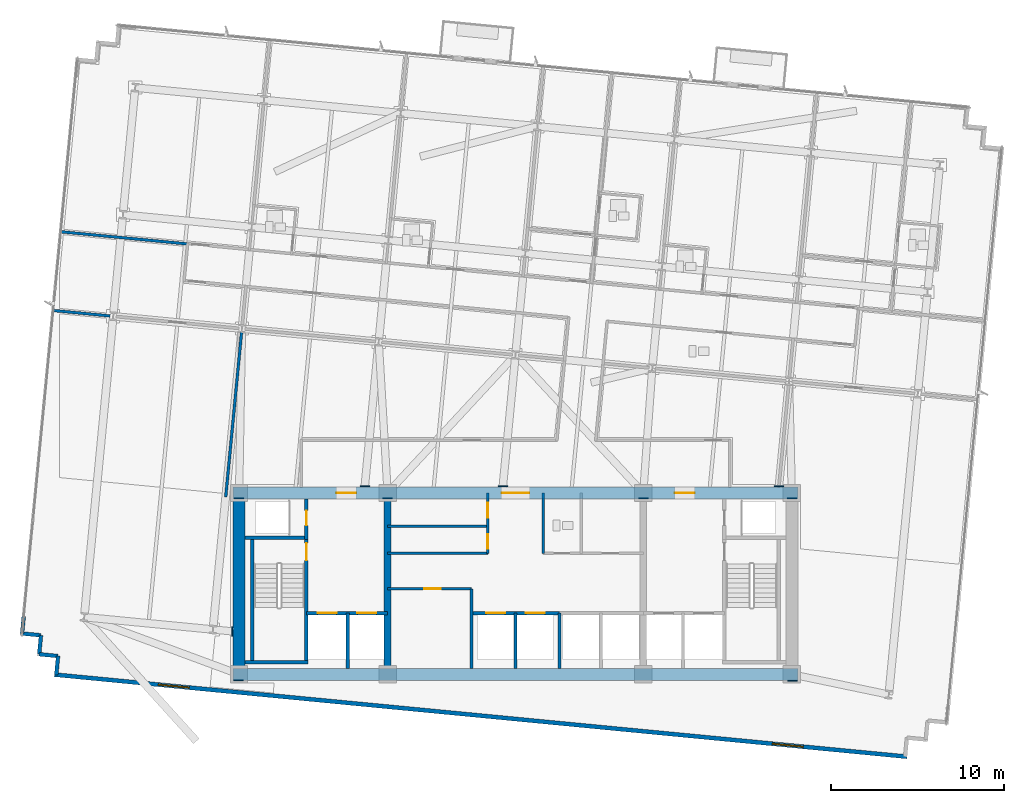
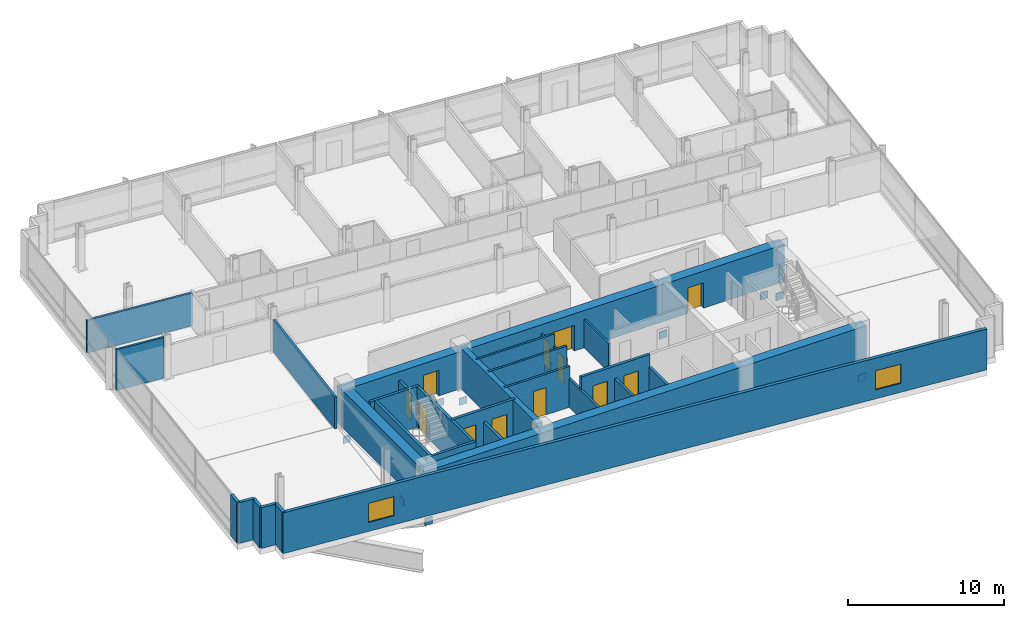
# One storey, part 10 of 18: 29 walls, 12 doors, 10 plates, 2 windows, 14 openings.
"""IFC4 building model written with IfcOpenShell, lengths in metres."""

from ifc_helpers import new_model, si_unit, direction, frame, frame_2d, origin, origin_2d, place, context, subcontext, project, spatial, rectangle, extrude, material, layer, layer_set, type_object, element, fill, save


model = new_model("IFC4")

# Units and contexts
model_context = context("Model", 3, precision=1e-05, world=origin(), true_north=direction((0.0, 1.0)))
body_context = subcontext(model_context, "Body", "Model", "MODEL_VIEW")
ifc_project = project(units=[si_unit("LENGTHUNIT", "METRE"), si_unit("AREAUNIT", "SQUARE_METRE"), si_unit("VOLUMEUNIT", "CUBIC_METRE"), si_unit("PLANEANGLEUNIT", "RADIAN"), si_unit("MASSUNIT", "GRAM", prefix="KILO")], contexts=[model_context])

# Site, building, storey
site_placement = place(None, origin())
site = spatial("IfcSite", under=ifc_project, at=site_placement, CompositionType="ELEMENT")
building_placement = place(site_placement, origin())
building = spatial("IfcBuilding", under=site, at=building_placement, Name="Solmavex Isthmus Hotel", CompositionType="ELEMENT")
storey_placement = place(building_placement, frame((0.0, 0.0, 135.89990234375)))
storey = spatial("IfcBuildingStorey", under=building, at=storey_placement, Name="L36", CompositionType="ELEMENT", Elevation=135.89990234375)

# Plates
ifc_material_1 = material(Name="Steel ASTM A572 Grade 50", Category="steel")
ifc_layer_1 = layer(ifc_material_1, 0.06005859375)
ifc_layer_set_1 = layer_set([ifc_layer_1], Name="Steel ASTM A572 Grade 50")
plate_type = type_object("IfcPlateType", Name="PLT-EMBED-60", PredefinedType="USERDEFINED", material=ifc_layer_set_1)
for number, where, z_axis, x_axis, name in (
    (1, (-7.402099609375, -2.81396484375, -1.3046875), (0.0, 0.0, 1.0), (1.0, 0.0, 0.0), "Outrigger Strut Core Cast-In Embedment Stiffener Plate 061"),
    (2, (7.402587890625, -2.814208984375, -1.3046875), (0.0, 0.0, 1.0), (1.0, 0.0, 0.0), "Outrigger Strut Core Cast-In Embedment Stiffener Plate 062"),
    (3, (-15.99951171875, -2.81396484375, -1.3046875), (0.0, 0.0, 1.0), (1.0, 0.0, 0.0), "Outrigger Strut Core Cast-In Embedment Stiffener Plate 063"),
    (4, (15.9990234375, -2.81396484375, -1.3046875), (0.0, 0.0, 1.0), (1.0, 0.0, 0.0), "Outrigger Strut Core Cast-In Embedment Stiffener Plate 064"),
    (5, (-16.03369140625, -13.33740234375, -1.3046875), (0.0, 0.0, 1.0), (1.0, 0.0, 0.0), "Outrigger Strut Core Cast-In Embedment Stiffener Plate 065"),
    (6, (16.03515625, -13.357421875, -1.3046875), (0.0, 0.0, 1.0), (1.0, 0.0, 0.0), "Outrigger Strut Core Cast-In Embedment Stiffener Plate 066"),
    (7, (-16.3857421875, -10.5126953125, -1.3046875), (0.0, 0.0, 1.0), (0.0, 1.0, 0.0), "Outrigger Strut Core Cast-In Embedment Stiffener Plate 067"),
    (8, (-8.7236328125, -2.1142578125, -1.4150390625), (0.0, 0.0, 1.0), (1.0, 0.0, 0.0), "Outrigger Strut Core Cast-In Embedment Stiffener Plate 068"),
    (9, (-0.73095703125, -2.1142578125, -1.4150390625), (0.0, 0.0, 1.0), (1.0, 0.0, 0.0), "Outrigger Strut Core Cast-In Embedment Stiffener Plate 069"),
    (10, (15.254638671875, -2.1142578125, -1.4150390625), (0.0, 0.0, 1.0), (1.0, 0.0, 0.0), "Outrigger Strut Core Cast-In Embedment Stiffener Plate 070"),
):
    element("IfcPlate", number, at=place(storey_placement, frame(where, z_axis=z_axis, x_axis=x_axis)), inside=storey, type_object=plate_type, Name=name, ObjectType="STIFFENER_PLATE", PredefinedType="USERDEFINED", context=body_context, shape_type="SweptSolid", body=[
        extrude(rectangle(XDim=0.550048828125, YDim=0.06005859375, at=origin_2d()), origin(), (0.0, 0.0, 1.0), 0.550048828125),
    ])

# Wall, openings, windows
ifc_material_2 = material(Name="Precast Concrete C40/50", Category="concrete")
ifc_layer_2 = layer(ifc_material_2, 0.25)
ifc_layer_set_2 = layer_set([ifc_layer_2], Name="Precast Concrete C40/50")
wall_type_1 = type_object("IfcWallType", Name="EW-TWR-250", PredefinedType="STANDARD", material=ifc_layer_set_2)
wall_1_placement = place(storey_placement, frame((-26.6953125, -13.01611328125, 0.0), z_axis=(0.0, 0.0, 1.0), x_axis=(0.995396268366, -0.095845025554, 0.0)))
wall_1 = element("IfcWall", 11, at=wall_1_placement, inside=storey, type_object=wall_type_1, Name="Tower Rear South Facade Wall L36", PredefinedType="STANDARD", context=body_context, shape_type="SweptSolid", body=[
    extrude(rectangle(XDim=49.599853515625, YDim=0.239990234375, at=frame_2d((24.7998046875, 0.0))), origin(), (0.0, 0.0, 1.0), 3.190185546875),
])
opening_1_placement = place(wall_1_placement, frame((6.0439453125, 0.0, 0.699951171875)))
opening_1 = element("IfcOpeningElement", 12, at=opening_1_placement, cuts=wall_1, Name="Opening WN-02", PredefinedType="OPENING", context=body_context, shape_type="SweptSolid", body=[
    extrude(rectangle(XDim=1.800048828125, YDim=1.5, at=frame_2d((0.89990234375, 0.75))), frame((0.0, 0.1298828125, 0.0), z_axis=(0.0, -1.0, 0.0), x_axis=(1.0, 0.0, 0.0)), (0.0, 0.0, 1.0), 0.260009765625),
])
opening_2_placement = place(wall_1_placement, frame((41.756103515625, 0.0, 0.699951171875)))
opening_2 = element("IfcOpeningElement", 13, at=opening_2_placement, cuts=wall_1, Name="Opening WN-02", PredefinedType="OPENING", context=body_context, shape_type="SweptSolid", body=[
    extrude(rectangle(XDim=1.800048828125, YDim=1.5, at=frame_2d((0.89990234375, 0.75))), frame((0.0, 0.1298828125, 0.0), z_axis=(0.0, -1.0, 0.0), x_axis=(1.0, 0.0, 0.0)), (0.0, 0.0, 1.0), 0.260009765625),
])
ifc_material_3 = material(Name="Clear low-E laminated glass", Category="glass")
window_type = type_object("IfcWindowType", Name="WIN-TWR-1800", PartitioningType="SINGLE_PANEL", PredefinedType="WINDOW", material=ifc_material_3)
window_1_placement = place(opening_1_placement, origin())
window_1 = element("IfcWindow", 14, at=window_1_placement, inside=storey, type_object=window_type, Name="South Facade Vision Window L36-S1", OverallHeight=1.5, OverallWidth=1.800048828125, PartitioningType="SINGLE_PANEL", PredefinedType="WINDOW", context=body_context, shape_type="SweptSolid", body=[
    extrude(rectangle(XDim=1.800048828125, YDim=1.5, at=frame_2d((0.89990234375, 0.75))), frame((0.0, 0.030029296875, 0.0), z_axis=(0.0, -1.0, 0.0), x_axis=(1.0, 0.0, 0.0)), (0.0, 0.0, 1.0), 0.06005859375),
])
fill(opening_1, window_1)
window_2_placement = place(opening_2_placement, origin())
window_2 = element("IfcWindow", 15, at=window_2_placement, inside=storey, type_object=window_type, Name="South Facade Vision Window L36-S2", OverallHeight=1.5, OverallWidth=1.800048828125, PartitioningType="SINGLE_PANEL", PredefinedType="WINDOW", context=body_context, shape_type="SweptSolid", body=[
    extrude(rectangle(XDim=1.800048828125, YDim=1.5, at=frame_2d((0.89990234375, 0.75))), frame((0.0, 0.030029296875, 0.0), z_axis=(0.0, -1.0, 0.0), x_axis=(1.0, 0.0, 0.0)), (0.0, 0.0, 1.0), 0.06005859375),
])
fill(opening_2, window_2)

# Walls
for number, where, z_axis, x_axis, name in (
    (16, (-26.5869140625, -13.03662109375, 0.0), (0.0, 0.0, 1.0), (0.095877334176, 0.995393156894, 0.0), "Serrated Corner Facade Panel L36-01"),
    (17, (-26.4814453125, -11.941650390625, 0.0), (0.0, 0.0, 1.0), (-0.995393156894, 0.095877334176, 0.0), "Serrated Corner Facade Panel L36-02"),
    (18, (-27.576416015625, -11.836181640625, 0.0), (0.0, 0.0, 1.0), (0.095877334176, 0.995393156894, 0.0), "Serrated Corner Facade Panel L36-03"),
    (19, (-27.470947265625, -10.7412109375, 0.0), (0.0, 0.0, 1.0), (-0.995414313875, 0.095657429048, 0.0), "Serrated Corner Facade Panel L36-04"),
):
    element("IfcWall", number, at=place(storey_placement, frame(where, z_axis=z_axis, x_axis=x_axis)), inside=storey, type_object=wall_type_1, Name=name, PredefinedType="STANDARD", context=body_context, shape_type="SweptSolid", body=[
        extrude(rectangle(XDim=1.10009765625, YDim=0.219970703125, at=frame_2d((0.550048828125, 0.0))), origin(), (0.0, 0.0, 1.0), 3.190185546875),
    ])
wall_2_placement = place(storey_placement, frame((-28.56591796875, -10.635986328125, 0.0), z_axis=(0.0, 0.0, 1.0), x_axis=(0.095914428506, 0.995389583231, 0.0)))
element("IfcWall", 20, at=wall_2_placement, inside=storey, type_object=wall_type_1, Name="Serrated Corner Facade Panel L36-05", PredefinedType="STANDARD", context=body_context, shape_type="SweptSolid", body=[
    extrude(rectangle(XDim=0.990234375, YDim=0.219970703125, at=frame_2d((0.4951171875, 0.0))), origin(), (0.0, 0.0, 1.0), 3.190185546875),
])

# Wall, opening, door
ifc_material_4 = material(Name="Gypsum plasterboard lining", Category="gypsum")
ifc_layer_3 = layer(ifc_material_4, 0.159912109375)
ifc_layer_set_3 = layer_set([ifc_layer_3], Name="Gypsum plasterboard lining")
wall_type_2 = type_object("IfcWallType", Name="IW-COMP-160", PredefinedType="PARTITIONING", material=ifc_layer_set_3)
wall_3_placement = place(storey_placement, frame((-7.39990234375, -8.050048828125, 0.0), z_axis=(0.0, 0.0, 1.0), x_axis=(1.0, 0.0, 0.0)))
wall_3 = element("IfcWall", 21, at=wall_3_placement, inside=storey, type_object=wall_type_2, Name="Interior Partition Wall W-L36-REC-PLL-N", PredefinedType="PARTITIONING", context=body_context, shape_type="SweptSolid", body=[
    extrude(rectangle(XDim=4.849853515625, YDim=0.159912109375, at=frame_2d((2.4248046875, 0.0))), origin(), (0.0, 0.0, 1.0), 3.190185546875),
])
opening_3_placement = place(wall_3_placement, frame((2.125, 0.0, 0.0)))
opening_3 = element("IfcOpeningElement", 22, at=opening_3_placement, cuts=wall_3, Name="Opening ID-C095", PredefinedType="OPENING", context=body_context, shape_type="SweptSolid", body=[
    extrude(rectangle(XDim=0.949951171875, YDim=2.14990234375, at=frame_2d((0.47509765625, 1.074951171875))), frame((0.0, 0.08984375, 0.0), z_axis=(0.0, -1.0, 0.0), x_axis=(1.0, 0.0, 0.0)), (0.0, 0.0, 1.0), 0.179931640625),
])
ifc_material_5 = material(Name="Hardwood timber", Category="wood")
door_type_1 = type_object("IfcDoorType", Name="IDR-FD60-0950", OperationType="NOTDEFINED", PredefinedType="DOOR", material=ifc_material_5)
door_1_placement = place(opening_3_placement, origin())
door_1 = element("IfcDoor", 23, at=door_1_placement, inside=storey, type_object=door_type_1, Name="Linen Reserve Door L36", OperationType="SINGLE_SWING_LEFT", OverallHeight=2.14990234375, OverallWidth=0.949951171875, PredefinedType="DOOR", context=body_context, shape_type="SweptSolid", body=[
    extrude(rectangle(XDim=0.949951171875, YDim=2.14990234375, at=frame_2d((0.47509765625, 1.074951171875))), frame((0.0, 0.02490234375, 0.0), z_axis=(0.0, -1.0, 0.0), x_axis=(1.0, 0.0, 0.0)), (0.0, 0.0, 1.0), 0.050048828125),
])
fill(opening_3, door_1)

# Walls
wall_4_placement = place(storey_placement, frame((-2.550048828125, -12.64990234375, 0.0), z_axis=(0.0, 0.0, 1.0), x_axis=(0.0, 1.0, 0.0)))
element("IfcWall", 24, at=wall_4_placement, inside=storey, type_object=wall_type_2, Name="Interior Partition Wall W-L36-REC-PLL-E", PredefinedType="PARTITIONING", context=body_context, shape_type="SweptSolid", body=[
    extrude(rectangle(XDim=4.599853515625, YDim=0.159912109375, at=frame_2d((2.2998046875, 0.0))), origin(), (0.0, 0.0, 1.0), 2.22509765625),
])
wall_5_placement = place(storey_placement, frame((-18.942138671875, 11.91552734375, 0.0), z_axis=(0.0, 0.0, 1.0), x_axis=(-0.995395927026, 0.095848570461, 0.0)))
element("IfcWall", 25, at=wall_5_placement, inside=storey, type_object=wall_type_2, Name="Interior Partition Wall W-L36-P029", PredefinedType="PARTITIONING", context=body_context, shape_type="SweptSolid", body=[
    extrude(rectangle(XDim=7.44775390625, YDim=0.159912109375, at=frame_2d((3.723876953125, 0.0))), origin(), (0.0, 0.0, 1.0), 2.5576171875),
])
wall_6_placement = place(storey_placement, frame((-23.466064453125, 7.75, 0.0), z_axis=(0.0, 0.0, 1.0), x_axis=(-0.995394839216, 0.095859866796, 0.0)))
element("IfcWall", 26, at=wall_6_placement, inside=storey, type_object=wall_type_2, Name="Interior Partition Wall W-L36-P072", PredefinedType="PARTITIONING", context=body_context, shape_type="SweptSolid", body=[
    extrude(rectangle(XDim=3.343994140625, YDim=0.159912109375, at=frame_2d((1.671875, 0.0))), origin(), (0.0, 0.0, 1.0), 3.190185546875),
])
wall_7_placement = place(storey_placement, frame((-15.854248046875, 6.84033203125, 0.0), z_axis=(0.0, 0.0, 1.0), x_axis=(-0.095862406114, -0.995394594668, 0.0)))
element("IfcWall", 27, at=wall_7_placement, inside=storey, type_object=wall_type_2, Name="Interior Partition Wall W-L36-P080", PredefinedType="PARTITIONING", context=body_context, shape_type="SweptSolid", body=[
    extrude(rectangle(XDim=9.614013671875, YDim=0.159912109375, at=frame_2d((4.80712890625, 0.0))), origin(), (0.0, 0.0, 1.0), 2.4794921875),
])
ifc_layer_4 = layer(ifc_material_4, 0.14990234375)
ifc_layer_set_4 = layer_set([ifc_layer_4], Name="Gypsum plasterboard lining")
wall_type_3 = type_object("IfcWallType", Name="IW-CORR-150", PredefinedType="PARTITIONING", material=ifc_layer_set_4)
wall_8_placement = place(storey_placement, frame((-7.39990234375, -6.0, 0.0), z_axis=(0.0, 0.0, 1.0), x_axis=(1.0, 0.0, 0.0)))
element("IfcWall", 28, at=wall_8_placement, inside=storey, type_object=wall_type_3, Name="Interior Partition Wall W-L36-BOH-WS", PredefinedType="PARTITIONING", context=body_context, shape_type="SweptSolid", body=[
    extrude(rectangle(XDim=5.7998046875, YDim=0.14990234375, at=frame_2d((2.89990234375, 0.0))), origin(), (0.0, 0.0, 1.0), 3.190185546875),
])

# Wall, openings, doors
wall_9_placement = place(storey_placement, frame((-1.60009765625, -6.0, 0.0), z_axis=(0.0, 0.0, 1.0), x_axis=(0.0, 1.0, 0.0)))
wall_9 = element("IfcWall", 29, at=wall_9_placement, inside=storey, type_object=wall_type_3, Name="Interior Partition Wall W-L36-BOH-WE", PredefinedType="PARTITIONING", context=body_context, shape_type="SweptSolid", body=[
    extrude(rectangle(XDim=3.5, YDim=0.14990234375, at=frame_2d((1.75, 0.0))), origin(), (0.0, 0.0, 1.0), 2.22509765625),
])
opening_4_placement = place(wall_9_placement, frame((0.27490234375, 0.0, 0.0)))
opening_4 = element("IfcOpeningElement", 30, at=opening_4_placement, cuts=wall_9, Name="Opening ID-R085", PredefinedType="OPENING", context=body_context, shape_type="SweptSolid", body=[
    extrude(rectangle(XDim=0.85009765625, YDim=2.050048828125, at=frame_2d((0.425048828125, 1.02490234375))), frame((0.0, 0.0849609375, 0.0), z_axis=(0.0, -1.0, 0.0), x_axis=(1.0, 0.0, 0.0)), (0.0, 0.0, 1.0), 0.169921875),
])
opening_5_placement = place(wall_9_placement, frame((2.074951171875, 0.0, 0.0)))
opening_5 = element("IfcOpeningElement", 31, at=opening_5_placement, cuts=wall_9, Name="Opening ID-R085", PredefinedType="OPENING", context=body_context, shape_type="SweptSolid", body=[
    extrude(rectangle(XDim=0.85009765625, YDim=2.050048828125, at=frame_2d((0.425048828125, 1.02490234375))), frame((0.0, 0.0849609375, 0.0), z_axis=(0.0, -1.0, 0.0), x_axis=(1.0, 0.0, 0.0)), (0.0, 0.0, 1.0), 0.169921875),
])
ifc_material_6 = material(Name="Steel ASTM A500 Grade C", Category="steel")
door_type_2 = type_object("IfcDoorType", Name="IDR-FD60-0850", OperationType="NOTDEFINED", PredefinedType="DOOR", material=ifc_material_6)
door_2_placement = place(opening_4_placement, origin())
door_2 = element("IfcDoor", 32, at=door_2_placement, inside=storey, type_object=door_type_2, Name="Housekeeping Door L36", OperationType="SINGLE_SWING_LEFT", OverallHeight=2.050048828125, OverallWidth=0.85009765625, PredefinedType="DOOR", context=body_context, shape_type="SweptSolid", body=[
    extrude(rectangle(XDim=0.85009765625, YDim=2.050048828125, at=frame_2d((0.425048828125, 1.02490234375))), frame((0.0, 0.02490234375, 0.0), z_axis=(0.0, -1.0, 0.0), x_axis=(1.0, 0.0, 0.0)), (0.0, 0.0, 1.0), 0.050048828125),
])
fill(opening_4, door_2)
door_3_placement = place(opening_5_placement, origin())
door_3 = element("IfcDoor", 33, at=door_3_placement, inside=storey, type_object=door_type_2, Name="Valet Store Door L36", OperationType="SINGLE_SWING_RIGHT", OverallHeight=2.050048828125, OverallWidth=0.85009765625, PredefinedType="DOOR", context=body_context, shape_type="SweptSolid", body=[
    extrude(rectangle(XDim=0.85009765625, YDim=2.050048828125, at=frame_2d((0.425048828125, 1.02490234375))), frame((0.0, 0.02490234375, 0.0), z_axis=(0.0, -1.0, 0.0), x_axis=(1.0, 0.0, 0.0)), (0.0, 0.0, 1.0), 0.050048828125),
])
fill(opening_5, door_3)

# Walls
wall_10_placement = place(storey_placement, frame((1.60009765625, -6.0, 0.0), z_axis=(0.0, 0.0, 1.0), x_axis=(0.0, 1.0, 0.0)))
element("IfcWall", 34, at=wall_10_placement, inside=storey, type_object=wall_type_3, Name="Interior Partition Wall W-L36-BOH-EW", PredefinedType="PARTITIONING", context=body_context, shape_type="SweptSolid", body=[
    extrude(rectangle(XDim=3.5, YDim=0.14990234375, at=frame_2d((1.75, 0.0))), origin(), (0.0, 0.0, 1.0), 2.22509765625),
])
ifc_layer_5 = layer(ifc_material_4, 0.1201171875)
ifc_layer_set_5 = layer_set([ifc_layer_5], Name="Gypsum plasterboard lining")
wall_type_4 = type_object("IfcWallType", Name="IW-PART-120", PredefinedType="PARTITIONING", material=ifc_layer_set_5)
wall_11_placement = place(storey_placement, frame((-7.39990234375, -4.425048828125, 0.0), z_axis=(0.0, 0.0, 1.0), x_axis=(1.0, 0.0, 0.0)))
element("IfcWall", 35, at=wall_11_placement, inside=storey, type_object=wall_type_4, Name="Interior Partition Wall W-L36-BOH-WH3", PredefinedType="PARTITIONING", context=body_context, shape_type="SweptSolid", body=[
    extrude(rectangle(XDim=5.7998046875, YDim=0.14990234375, at=frame_2d((2.89990234375, 0.0))), origin(), (0.0, 0.0, 1.0), 3.190185546875),
])
ifc_material_7 = material(Name="Concrete C40/50", Category="concrete")
ifc_layer_6 = layer(ifc_material_7, 0.179931640625)
ifc_layer_set_6 = layer_set([ifc_layer_6], Name="Concrete C40/50")
wall_type_5 = type_object("IfcWallType", Name="IW-SHAFT-180", PredefinedType="PARTITIONING", material=ifc_layer_set_6)
wall_12_placement = place(storey_placement, frame((0.0, -12.64990234375, 0.0), z_axis=(0.0, 0.0, 1.0), x_axis=(0.0, 1.0, 0.0)))
element("IfcWall", 36, at=wall_12_placement, inside=storey, type_object=wall_type_5, Name="Interior Partition Wall W-L36-SH-PLM-M", PredefinedType="PARTITIONING", context=body_context, shape_type="SweptSolid", body=[
    extrude(rectangle(XDim=3.199951171875, YDim=0.179931640625, at=frame_2d((1.60009765625, 0.0))), origin(), (0.0, 0.0, 1.0), 2.22509765625),
])

# Wall, opening, door
ifc_layer_7 = layer(ifc_material_7, 0.199951171875)
ifc_layer_set_7 = layer_set([ifc_layer_7], Name="Concrete C40/50")
wall_type_6 = type_object("IfcWallType", Name="IW-SHAFT-200", PredefinedType="PARTITIONING", material=ifc_layer_set_7)
wall_13_placement = place(storey_placement, frame((-12.10009765625, -5.199951171875, 0.0), z_axis=(0.0, 0.0, 1.0), x_axis=(0.0, 1.0, 0.0)))
wall_13 = element("IfcWall", 37, at=wall_13_placement, inside=storey, type_object=wall_type_6, Name="Interior Partition Wall W-L36-RSW-E", PredefinedType="PARTITIONING", context=body_context, shape_type="SweptSolid", body=[
    extrude(rectangle(XDim=2.349853515625, YDim=0.199951171875, at=frame_2d((1.1748046875, 0.0))), origin(), (0.0, 0.0, 1.0), 2.22509765625),
])
opening_6_placement = place(wall_13_placement, frame((0.824951171875, 0.0, 0.0)))
opening_6 = element("IfcOpeningElement", 38, at=opening_6_placement, cuts=wall_13, Name="Opening ID-R085", PredefinedType="OPENING", context=body_context, shape_type="SweptSolid", body=[
    extrude(rectangle(XDim=0.85009765625, YDim=2.050048828125, at=frame_2d((0.425048828125, 1.02490234375))), frame((0.0, 0.10986328125, 0.0), z_axis=(0.0, -1.0, 0.0), x_axis=(1.0, 0.0, 0.0)), (0.0, 0.0, 1.0), 0.219970703125),
])
door_4_placement = place(opening_6_placement, origin())
door_4 = element("IfcDoor", 39, at=door_4_placement, inside=storey, type_object=door_type_2, Name="Electrical Riser Door L36", OperationType="SINGLE_SWING_RIGHT", OverallHeight=2.050048828125, OverallWidth=0.85009765625, PredefinedType="DOOR", context=body_context, shape_type="SweptSolid", body=[
    extrude(rectangle(XDim=0.85009765625, YDim=2.050048828125, at=frame_2d((0.425048828125, 1.02490234375))), frame((0.0, 0.02490234375, 0.0), z_axis=(0.0, -1.0, 0.0), x_axis=(1.0, 0.0, 0.0)), (0.0, 0.0, 1.0), 0.050048828125),
])
fill(opening_6, door_4)

# Wall, openings, doors
wall_14_placement = place(storey_placement, frame((-12.10009765625, -9.449951171875, 0.0), z_axis=(0.0, 0.0, 1.0), x_axis=(1.0, 0.0, 0.0)))
wall_14 = element("IfcWall", 40, at=wall_14_placement, inside=storey, type_object=wall_type_6, Name="Interior Partition Wall W-L36-FFLW-S", PredefinedType="PARTITIONING", context=body_context, shape_type="SweptSolid", body=[
    extrude(rectangle(XDim=4.7001953125, YDim=0.199951171875, at=frame_2d((2.35009765625, 0.0))), origin(), (0.0, 0.0, 1.0), 3.190185546875),
])
opening_7_placement = place(wall_14_placement, frame((0.64990234375, 0.0, 0.0)))
opening_7 = element("IfcOpeningElement", 41, at=opening_7_placement, cuts=wall_14, Name="Opening LD-FF", PredefinedType="OPENING", context=body_context, shape_type="SweptSolid", body=[
    extrude(rectangle(XDim=1.10009765625, YDim=2.199951171875, at=frame_2d((0.550048828125, 1.10009765625))), frame((0.0, 0.10986328125, 0.0), z_axis=(0.0, -1.0, 0.0), x_axis=(1.0, 0.0, 0.0)), (0.0, 0.0, 1.0), 0.219970703125),
])
opening_8_placement = place(wall_14_placement, frame((2.949951171875, 0.0, 0.0)))
opening_8 = element("IfcOpeningElement", 42, at=opening_8_placement, cuts=wall_14, Name="Opening LD-SV", PredefinedType="OPENING", context=body_context, shape_type="SweptSolid", body=[
    extrude(rectangle(XDim=1.10009765625, YDim=2.199951171875, at=frame_2d((0.550048828125, 1.10009765625))), frame((0.0, 0.10986328125, 0.0), z_axis=(0.0, -1.0, 0.0), x_axis=(1.0, 0.0, 0.0)), (0.0, 0.0, 1.0), 0.219970703125),
])
ifc_material_8 = material(Name="Stainless steel 316", Category="steel")
door_type_3 = type_object("IfcDoorType", Name="LDR-FF-1100", OperationType="NOTDEFINED", PredefinedType="DOOR", material=ifc_material_8)
door_5_placement = place(opening_7_placement, origin())
door_5 = element("IfcDoor", 43, at=door_5_placement, inside=storey, type_object=door_type_3, Name="Lift Landing Door FFL-1 L36", OperationType="SLIDING_TO_LEFT", OverallHeight=2.199951171875, OverallWidth=1.10009765625, PredefinedType="DOOR", context=body_context, shape_type="SweptSolid", body=[
    extrude(rectangle(XDim=1.10009765625, YDim=2.199951171875, at=frame_2d((0.550048828125, 1.10009765625))), frame((0.0, 0.02490234375, 0.0), z_axis=(0.0, -1.0, 0.0), x_axis=(1.0, 0.0, 0.0)), (0.0, 0.0, 1.0), 0.050048828125),
])
fill(opening_7, door_5)
door_type_4 = type_object("IfcDoorType", Name="LDR-SV-1100", OperationType="NOTDEFINED", PredefinedType="DOOR", material=ifc_material_8)
door_6_placement = place(opening_8_placement, origin())
door_6 = element("IfcDoor", 44, at=door_6_placement, inside=storey, type_object=door_type_4, Name="Lift Landing Door SVL-1 L36", OperationType="SLIDING_TO_RIGHT", OverallHeight=2.199951171875, OverallWidth=1.10009765625, PredefinedType="DOOR", context=body_context, shape_type="SweptSolid", body=[
    extrude(rectangle(XDim=1.10009765625, YDim=2.199951171875, at=frame_2d((0.550048828125, 1.10009765625))), frame((0.0, 0.02490234375, 0.0), z_axis=(0.0, -1.0, 0.0), x_axis=(1.0, 0.0, 0.0)), (0.0, 0.0, 1.0), 0.050048828125),
])
fill(opening_8, door_6)

# Wall
wall_15_placement = place(storey_placement, frame((-9.699951171875, -12.64990234375, 0.0), z_axis=(0.0, 0.0, 1.0), x_axis=(0.0, 1.0, 0.0)))
element("IfcWall", 45, at=wall_15_placement, inside=storey, type_object=wall_type_6, Name="Interior Partition Wall W-L36-FFLW-M", PredefinedType="PARTITIONING", context=body_context, shape_type="SweptSolid", body=[
    extrude(rectangle(XDim=3.199951171875, YDim=0.199951171875, at=frame_2d((1.60009765625, 0.0))), origin(), (0.0, 0.0, 1.0), 2.22509765625),
])

# Wall, openings, doors
wall_16_placement = place(storey_placement, frame((-2.550048828125, -9.449951171875, 0.0), z_axis=(0.0, 0.0, 1.0), x_axis=(1.0, 0.0, 0.0)))
wall_16 = element("IfcWall", 46, at=wall_16_placement, inside=storey, type_object=wall_type_6, Name="Interior Partition Wall W-L36-SH-PLM", PredefinedType="PARTITIONING", context=body_context, shape_type="SweptSolid", body=[
    extrude(rectangle(XDim=5.10009765625, YDim=0.199951171875, at=frame_2d((2.550048828125, 0.0))), origin(), (0.0, 0.0, 1.0), 3.190185546875),
])
opening_9_placement = place(wall_16_placement, frame((0.85009765625, 0.0, 0.0)))
opening_9 = element("IfcOpeningElement", 47, at=opening_9_placement, cuts=wall_16, Name="Opening LD-PL", PredefinedType="OPENING", context=body_context, shape_type="SweptSolid", body=[
    extrude(rectangle(XDim=1.10009765625, YDim=2.199951171875, at=frame_2d((0.550048828125, 1.10009765625))), frame((0.0, 0.10986328125, 0.0), z_axis=(0.0, -1.0, 0.0), x_axis=(1.0, 0.0, 0.0)), (0.0, 0.0, 1.0), 0.219970703125),
])
opening_10_placement = place(wall_16_placement, frame((3.14990234375, 0.0, 0.0)))
opening_10 = element("IfcOpeningElement", 48, at=opening_10_placement, cuts=wall_16, Name="Opening LD-PL", PredefinedType="OPENING", context=body_context, shape_type="SweptSolid", body=[
    extrude(rectangle(XDim=1.10009765625, YDim=2.199951171875, at=frame_2d((0.550048828125, 1.10009765625))), frame((0.0, 0.10986328125, 0.0), z_axis=(0.0, -1.0, 0.0), x_axis=(1.0, 0.0, 0.0)), (0.0, 0.0, 1.0), 0.219970703125),
])
door_type_5 = type_object("IfcDoorType", Name="LDR-PL-1100", OperationType="NOTDEFINED", PredefinedType="DOOR", material=ifc_material_8)
door_7_placement = place(opening_9_placement, origin())
door_7 = element("IfcDoor", 49, at=door_7_placement, inside=storey, type_object=door_type_5, Name="Lift Landing Door PLM1 L36", OperationType="SLIDING_TO_RIGHT", OverallHeight=2.199951171875, OverallWidth=1.10009765625, PredefinedType="DOOR", context=body_context, shape_type="SweptSolid", body=[
    extrude(rectangle(XDim=1.10009765625, YDim=2.199951171875, at=frame_2d((0.550048828125, 1.10009765625))), frame((0.0, 0.02490234375, 0.0), z_axis=(0.0, -1.0, 0.0), x_axis=(1.0, 0.0, 0.0)), (0.0, 0.0, 1.0), 0.050048828125),
])
fill(opening_9, door_7)
door_8_placement = place(opening_10_placement, origin())
door_8 = element("IfcDoor", 50, at=door_8_placement, inside=storey, type_object=door_type_5, Name="Lift Landing Door PLM2 L36", OperationType="SLIDING_TO_RIGHT", OverallHeight=2.199951171875, OverallWidth=1.10009765625, PredefinedType="DOOR", context=body_context, shape_type="SweptSolid", body=[
    extrude(rectangle(XDim=1.10009765625, YDim=2.199951171875, at=frame_2d((0.550048828125, 1.10009765625))), frame((0.0, 0.02490234375, 0.0), z_axis=(0.0, -1.0, 0.0), x_axis=(1.0, 0.0, 0.0)), (0.0, 0.0, 1.0), 0.050048828125),
])
fill(opening_10, door_8)

# Walls
wall_17_placement = place(storey_placement, frame((2.550048828125, -12.64990234375, 0.0), z_axis=(0.0, 0.0, 1.0), x_axis=(0.0, 1.0, 0.0)))
element("IfcWall", 51, at=wall_17_placement, inside=storey, type_object=wall_type_6, Name="Interior Partition Wall W-L36-SH-PLM-E", PredefinedType="PARTITIONING", context=body_context, shape_type="SweptSolid", body=[
    extrude(rectangle(XDim=3.199951171875, YDim=0.199951171875, at=frame_2d((1.60009765625, 0.0))), origin(), (0.0, 0.0, 1.0), 2.22509765625),
])
ifc_material_9 = material(Name="Concrete C60/75", Category="concrete")
ifc_layer_8 = layer(ifc_material_9, 0.39990234375)
ifc_layer_set_8 = layer_set([ifc_layer_8], Name="Concrete C60/75")
wall_type_7 = type_object("IfcWallType", Name="WALL-CW-400M", PredefinedType="SHEAR", material=ifc_layer_set_8)
wall_18_placement = place(storey_placement, frame((-7.39990234375, -12.64990234375, 0.0), z_axis=(0.0, 0.0, 1.0), x_axis=(0.0, 1.0, 0.0)))
element("IfcWall", 52, at=wall_18_placement, inside=storey, type_object=wall_type_7, Name="Core Cross Shear Wall C1 L36", PredefinedType="SHEAR", context=body_context, shape_type="SweptSolid", body=[
    extrude(rectangle(XDim=9.7998046875, YDim=0.39990234375, at=frame_2d((4.89990234375, 0.0))), origin(), (0.0, 0.0, 1.0), 3.190185546875),
])
ifc_layer_9 = layer(ifc_material_9, 0.699951171875)
ifc_layer_set_9 = layer_set([ifc_layer_9], Name="Concrete C60/75")
wall_type_8 = type_object("IfcWallType", Name="WALL-CW-700", PredefinedType="SHEAR", material=ifc_layer_set_9)
wall_19_placement = place(storey_placement, frame((-16.35009765625, -13.0, 0.0), z_axis=(0.0, 0.0, 1.0), x_axis=(1.0, 0.0, 0.0)))
element("IfcWall", 53, at=wall_19_placement, inside=storey, type_object=wall_type_8, Name="Core Shear Wall South L36", PredefinedType="SHEAR", context=body_context, shape_type="SweptSolid", body=[
    extrude(rectangle(XDim=32.7001953125, YDim=0.699951171875, at=frame_2d((16.35009765625, 0.0))), origin(), (0.0, 0.0, 1.0), 2.91015625),
])

# Wall, openings, doors
wall_20_placement = place(storey_placement, frame((-16.35009765625, -2.5, 0.0), z_axis=(0.0, 0.0, 1.0), x_axis=(1.0, 0.0, 0.0)))
wall_20 = element("IfcWall", 54, at=wall_20_placement, inside=storey, type_object=wall_type_8, Name="Core Shear Wall North L36", PredefinedType="SHEAR", context=body_context, shape_type="SweptSolid", body=[
    extrude(rectangle(XDim=32.7001953125, YDim=0.699951171875, at=frame_2d((16.35009765625, 0.0))), origin(), (0.0, 0.0, 1.0), 2.91015625),
])
opening_11_placement = place(wall_20_placement, frame((5.97509765625, 0.0, 0.0)))
opening_11 = element("IfcOpeningElement", 55, at=opening_11_placement, cuts=wall_20, Name="Opening ID-F915", PredefinedType="OPENING", context=body_context, shape_type="SweptSolid", body=[
    extrude(rectangle(XDim=1.14990234375, YDim=2.0, at=frame_2d((0.574951171875, 1.0))), frame((0.0, 0.35986328125, 0.0), z_axis=(0.0, -1.0, 0.0), x_axis=(1.0, 0.0, 0.0)), (0.0, 0.0, 1.0), 0.719970703125),
])
opening_12_placement = place(wall_20_placement, frame((15.550048828125, 0.0, 0.0)))
opening_12 = element("IfcOpeningElement", 56, at=opening_12_placement, cuts=wall_20, Name="Opening ID-F960", PredefinedType="OPENING", context=body_context, shape_type="SweptSolid", body=[
    extrude(rectangle(XDim=1.60009765625, YDim=2.0, at=frame_2d((0.800048828125, 1.0))), frame((0.0, 0.35986328125, 0.0), z_axis=(0.0, -1.0, 0.0), x_axis=(1.0, 0.0, 0.0)), (0.0, 0.0, 1.0), 0.719970703125),
])
opening_13_placement = place(wall_20_placement, frame((25.574951171875, 0.0, 0.0)))
opening_13 = element("IfcOpeningElement", 57, at=opening_13_placement, cuts=wall_20, Name="Opening ID-F915", PredefinedType="OPENING", context=body_context, shape_type="SweptSolid", body=[
    extrude(rectangle(XDim=1.14990234375, YDim=2.0, at=frame_2d((0.574951171875, 1.0))), frame((0.0, 0.35986328125, 0.0), z_axis=(0.0, -1.0, 0.0), x_axis=(1.0, 0.0, 0.0)), (0.0, 0.0, 1.0), 0.719970703125),
])
door_type_6 = type_object("IfcDoorType", Name="IDR-FD90-1150C", OperationType="NOTDEFINED", PredefinedType="DOOR", material=ifc_material_6)
door_9_placement = place(opening_11_placement, origin())
door_9 = element("IfcDoor", 58, at=door_9_placement, inside=storey, type_object=door_type_6, Name="Firefighting Lobby West Exit Door L36", OperationType="SINGLE_SWING_LEFT", OverallHeight=2.0, OverallWidth=1.14990234375, PredefinedType="DOOR", context=body_context, shape_type="SweptSolid", body=[
    extrude(rectangle(XDim=1.14990234375, YDim=2.0, at=frame_2d((0.574951171875, 1.0))), frame((0.0, 0.02490234375, 0.0), z_axis=(0.0, -1.0, 0.0), x_axis=(1.0, 0.0, 0.0)), (0.0, 0.0, 1.0), 0.050048828125),
])
fill(opening_11, door_9)
door_10_placement = place(opening_13_placement, origin())
door_10 = element("IfcDoor", 59, at=door_10_placement, inside=storey, type_object=door_type_6, Name="Firefighting Lobby East Exit Door L36", OperationType="SINGLE_SWING_RIGHT", OverallHeight=2.0, OverallWidth=1.14990234375, PredefinedType="DOOR", context=body_context, shape_type="SweptSolid", body=[
    extrude(rectangle(XDim=1.14990234375, YDim=2.0, at=frame_2d((0.574951171875, 1.0))), frame((0.0, 0.02490234375, 0.0), z_axis=(0.0, -1.0, 0.0), x_axis=(1.0, 0.0, 0.0)), (0.0, 0.0, 1.0), 0.050048828125),
])
fill(opening_13, door_10)
door_type_7 = type_object("IfcDoorType", Name="IDR-FD90-1600C", OperationType="NOTDEFINED", PredefinedType="DOOR", material=ifc_material_6)
door_11_placement = place(opening_12_placement, origin())
door_11 = element("IfcDoor", 60, at=door_11_placement, inside=storey, type_object=door_type_7, Name="Central Lift Lobby Door L36", OperationType="DOUBLE_DOOR_SINGLE_SWING", OverallHeight=2.0, OverallWidth=1.60009765625, PredefinedType="DOOR", context=body_context, shape_type="SweptSolid", body=[
    extrude(rectangle(XDim=1.60009765625, YDim=2.0, at=frame_2d((0.800048828125, 1.0))), frame((0.0, 0.02490234375, 0.0), z_axis=(0.0, -1.0, 0.0), x_axis=(1.0, 0.0, 0.0)), (0.0, 0.0, 1.0), 0.050048828125),
])
fill(opening_12, door_11)

# Walls
wall_21_placement = place(storey_placement, frame((-16.0, -12.64990234375, 0.0), z_axis=(0.0, 0.0, 1.0), x_axis=(0.0, 1.0, 0.0)))
element("IfcWall", 61, at=wall_21_placement, inside=storey, type_object=wall_type_8, Name="Core Shear Wall West L36", PredefinedType="SHEAR", context=body_context, shape_type="SweptSolid", body=[
    extrude(rectangle(XDim=9.7998046875, YDim=0.699951171875, at=frame_2d((4.89990234375, 0.0))), origin(), (0.0, 0.0, 1.0), 2.91015625),
])
ifc_layer_10 = layer(ifc_material_7, 0.199951171875)
ifc_layer_set_10 = layer_set([ifc_layer_10], Name="Concrete C40/50")
wall_type_9 = type_object("IfcWallType", Name="WALL-SW-200", PredefinedType="SOLIDWALL", material=ifc_layer_set_10)
for number, where, z_axis, x_axis, name in (
    (62, (-15.64990234375, -12.300048828125, 0.0), (0.0, 0.0, 1.0), (1.0, 0.0, 0.0), "Stairwell Structural Wall SW-L36-ST1-S"),
    (63, (-15.64990234375, -5.10009765625, 0.0), (0.0, 0.0, 1.0), (1.0, 0.0, 0.0), "Stairwell Structural Wall SW-L36-ST1-N"),
):
    element("IfcWall", number, at=place(storey_placement, frame(where, z_axis=z_axis, x_axis=x_axis)), inside=storey, type_object=wall_type_9, Name=name, PredefinedType="SOLIDWALL", context=body_context, shape_type="SweptSolid", body=[
        extrude(rectangle(XDim=3.64990234375, YDim=0.199951171875, at=frame_2d((1.824951171875, 0.0))), origin(), (0.0, 0.0, 1.0), 3.190185546875),
    ])
wall_22_placement = place(storey_placement, frame((-15.25, -12.199951171875, 0.0), z_axis=(0.0, 0.0, 1.0), x_axis=(0.0, 1.0, 0.0)))
element("IfcWall", 64, at=wall_22_placement, inside=storey, type_object=wall_type_9, Name="Stairwell Structural Wall SW-L36-ST1-W", PredefinedType="SOLIDWALL", context=body_context, shape_type="SweptSolid", body=[
    extrude(rectangle(XDim=7.0, YDim=0.199951171875, at=frame_2d((3.5, 0.0))), origin(), (0.0, 0.0, 1.0), 3.190185546875),
])

# Wall, opening, door
wall_23_placement = place(storey_placement, frame((-12.10009765625, -12.199951171875, 0.0), z_axis=(0.0, 0.0, 1.0), x_axis=(0.0, 1.0, 0.0)))
wall_23 = element("IfcWall", 65, at=wall_23_placement, inside=storey, type_object=wall_type_9, Name="Stairwell Structural Wall SW-L36-ST1-E", PredefinedType="SOLIDWALL", context=body_context, shape_type="SweptSolid", body=[
    extrude(rectangle(XDim=7.0, YDim=0.199951171875, at=frame_2d((3.5, 0.0))), origin(), (0.0, 0.0, 1.0), 3.190185546875),
])
opening_14_placement = place(wall_23_placement, frame((5.800048828125, 0.0, 0.0)))
opening_14 = element("IfcOpeningElement", 66, at=opening_14_placement, cuts=wall_23, Name="Opening ID-F100", PredefinedType="OPENING", context=body_context, shape_type="SweptSolid", body=[
    extrude(rectangle(XDim=1.0, YDim=2.10009765625, at=frame_2d((0.5, 1.050048828125))), frame((0.0, 0.10986328125, 0.0), z_axis=(0.0, -1.0, 0.0), x_axis=(1.0, 0.0, 0.0)), (0.0, 0.0, 1.0), 0.219970703125),
])
door_type_8 = type_object("IfcDoorType", Name="IDR-FD90-1000", OperationType="NOTDEFINED", PredefinedType="DOOR", material=ifc_material_6)
door_12_placement = place(opening_14_placement, frame((1.0, 0.0, 0.0), z_axis=(0.0, 0.0, 1.0), x_axis=(-1.0, 0.0, 0.0)))
door_12 = element("IfcDoor", 67, at=door_12_placement, inside=storey, type_object=door_type_8, Name="Stair ST-1 Fire Door L36", OperationType="SINGLE_SWING_LEFT", OverallHeight=2.10009765625, OverallWidth=1.0, PredefinedType="DOOR", context=body_context, shape_type="SweptSolid", body=[
    extrude(rectangle(XDim=1.0, YDim=2.10009765625, at=frame_2d((0.5, 1.050048828125))), frame((0.0, 0.02490234375, 0.0), z_axis=(0.0, -1.0, 0.0), x_axis=(1.0, 0.0, 0.0)), (0.0, 0.0, 1.0), 0.050048828125),
])
fill(opening_14, door_12)

save(model, "model.ifc")
